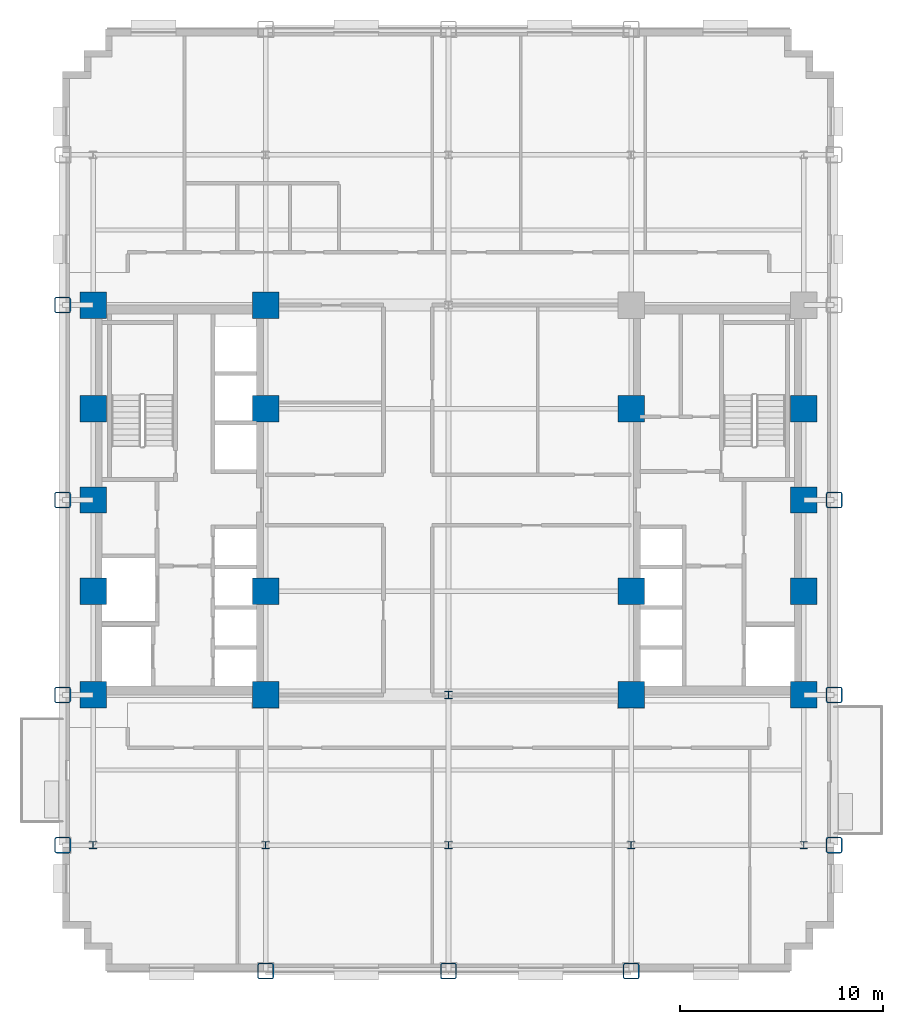
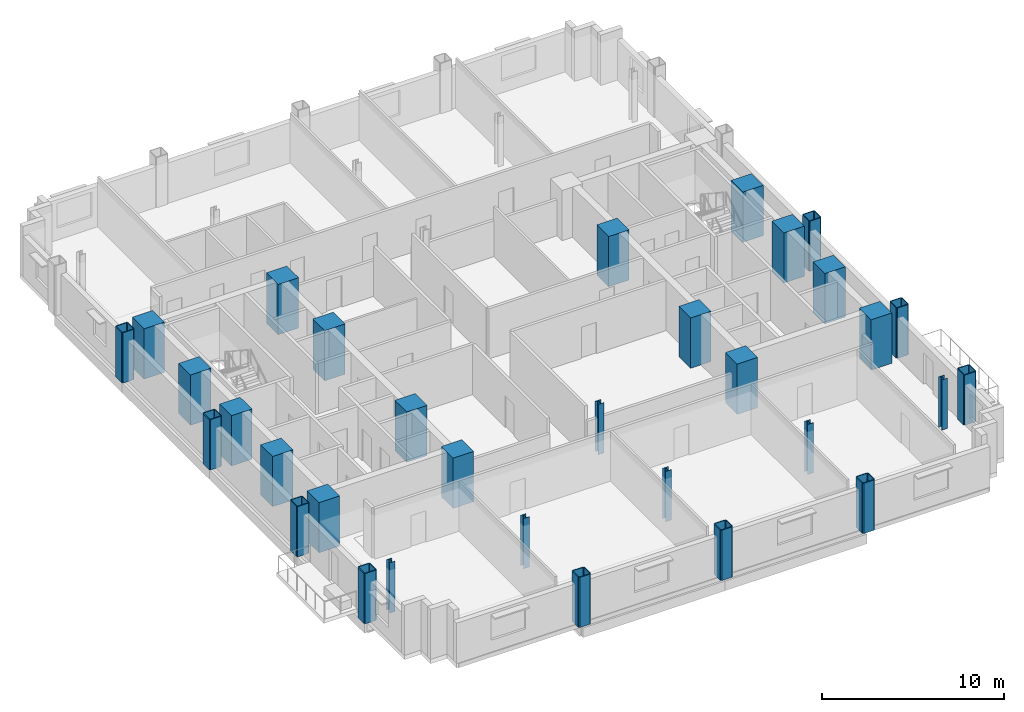
# One storey, part 1 of 12: 32 columns.
"""IFC4 building model written with IfcOpenShell, lengths in metres."""

import ifcopenshell
import ifcopenshell.guid

model = None  # the IFC model being written
_history = None  # IfcOwnerHistory: only IFC2X3 demands one
_inside = {}  # id of a spatial element -> (the spatial element, [elements in it])
_under = {}  # id of a project, library or spatial element -> (it, [spatial elements below it])
_declared = {}  # id of a project -> (the project, [libraries it declares])
_typed = {}  # id of a type object -> (the type object, [elements of that type])
_made_of = {}  # id of a material, layer set ... -> (it, [elements and type objects made of it])


def new_model(schema):
    """Start an empty IFC model of exactly this schema.

    Asked for "IFC4X3", IfcOpenShell would pick the latest addendum, in which some entities
    have other attributes; the version numbers below select the first issue.
    IFC2X3 requires an IfcOwnerHistory on every rooted entity: one is made here for all.
    """
    global model, _history
    if schema == "IFC4X3":
        model = ifcopenshell.file(schema_version=(4, 3, 0, 0))
    else:
        model = ifcopenshell.file(schema=schema)
    _inside.clear()
    _under.clear()
    _declared.clear()
    _typed.clear()
    _made_of.clear()
    _history = None
    if model.schema == "IFC2X3":
        org = make("IfcOrganization", Name="unknown")
        user = make(
            "IfcPersonAndOrganization",
            ThePerson=make("IfcPerson", FamilyName="unknown"),
            TheOrganization=org,
        )
        app = make(
            "IfcApplication",
            ApplicationDeveloper=org,
            Version="unknown",
            ApplicationFullName="unknown",
            ApplicationIdentifier="unknown",
        )
        _history = make(
            "IfcOwnerHistory",
            OwningUser=user,
            OwningApplication=app,
            ChangeAction="ADDED",
            CreationDate=0,
        )
    return model


def make(cls, **values):
    """One entity of the class cls with the attributes given. An attribute that is None is left unset."""
    return model.create_entity(
        cls, **{name: value for name, value in values.items() if value is not None}
    )


def rooted(cls, **values):
    """An entity with a GlobalId (a new one), such as an element, a storey or a relation."""
    return make(cls, GlobalId=ifcopenshell.guid.new(), OwnerHistory=_history, **values)


def si_unit(unit_type, name, prefix=None):
    """IfcSIUnit, for example si_unit("LENGTHUNIT", "METRE", prefix="MILLI")."""
    return make("IfcSIUnit", UnitType=unit_type, Prefix=prefix, Name=name)


def assignment(units):
    """IfcUnitAssignment: the units of a project."""
    return None if units is None else make("IfcUnitAssignment", Units=units)


def point(xyz):
    """IfcCartesianPoint."""
    return None if xyz is None else make("IfcCartesianPoint", Coordinates=xyz)


def direction(xyz):
    """IfcDirection."""
    return None if xyz is None else make("IfcDirection", DirectionRatios=xyz)


def frame(location, z_axis=None, x_axis=None):
    """IfcAxis2Placement3D, a coordinate frame: its origin and axes. An axis left out is left unset."""
    return make(
        "IfcAxis2Placement3D",
        Location=point(location),
        Axis=direction(z_axis),
        RefDirection=direction(x_axis),
    )


def frame_2d(location, x_axis=None):
    """IfcAxis2Placement2D, a coordinate frame in the plane: its origin and x axis."""
    return make(
        "IfcAxis2Placement2D", Location=point(location), RefDirection=direction(x_axis)
    )


def origin():
    """The frame at (0, 0, 0) with its axes left unset."""
    return frame((0.0, 0.0, 0.0))


def origin_2d():
    """The frame at (0, 0) in the plane with its x axis left unset."""
    return frame_2d((0.0, 0.0))


def place(relative_to, where):
    """IfcLocalPlacement: puts the frame where relative to a parent placement (None: the world)."""
    return make(
        "IfcLocalPlacement", PlacementRelTo=relative_to, RelativePlacement=where
    )


def context(
    kind, dimensions, precision=None, world=None, true_north=None, identifier=None
):
    """IfcGeometricRepresentationContext, for example the 3D "Model" context."""
    return make(
        "IfcGeometricRepresentationContext",
        ContextIdentifier=identifier,
        ContextType=kind,
        CoordinateSpaceDimension=dimensions,
        Precision=precision,
        WorldCoordinateSystem=world,
        TrueNorth=true_north,
    )


def subcontext(parent, identifier, kind, view, scale=None):
    """IfcGeometricRepresentationSubContext, for example "Body" below "Model"."""
    return make(
        "IfcGeometricRepresentationSubContext",
        ContextIdentifier=identifier,
        ContextType=kind,
        ParentContext=parent,
        TargetScale=scale,
        TargetView=view,
    )


def project(units=None, contexts=None):
    """IfcProject with its units and contexts."""
    return rooted(
        "IfcProject",
        Name="project",
        RepresentationContexts=contexts,
        UnitsInContext=assignment(units),
    )


def spatial(cls, under=None, at=None, **own):
    """A site, building, storey or space (cls), placed at a placement, below another one or the project."""
    s = rooted(cls, ObjectPlacement=at, **own)
    if under is not None:
        _under.setdefault(under.id(), (under, []))[1].append(s)
    return s


def profile(cls, at=None, kind="AREA", **sizes):
    """A parametric profile (cls). Its sizes go by their IFC names, for example OverallWidth=200.0."""
    return make(cls, ProfileType=kind, Position=at, **sizes)


def rectangle(**sizes):
    """IfcRectangleProfileDef."""
    return profile("IfcRectangleProfileDef", **sizes)


def hollow_rectangle(**sizes):
    """IfcRectangleHollowProfileDef."""
    return profile("IfcRectangleHollowProfileDef", **sizes)


def i_section(**sizes):
    """IfcIShapeProfileDef."""
    return profile("IfcIShapeProfileDef", **sizes)


def extrude(swept, where, along, depth):
    """IfcExtrudedAreaSolid: the profile swept, set in the frame where, extruded along a direction by depth."""
    return make(
        "IfcExtrudedAreaSolid",
        SweptArea=swept,
        Position=where,
        ExtrudedDirection=direction(along),
        Depth=depth,
    )


def shape(context_of_items, identifier, shape_type, items):
    """IfcShapeRepresentation: the items that make up one representation, for example the "Body"."""
    return make(
        "IfcShapeRepresentation",
        ContextOfItems=context_of_items,
        RepresentationIdentifier=identifier,
        RepresentationType=shape_type,
        Items=items,
    )


def material(Name=None, Category=None):
    """IfcMaterial."""
    return make("IfcMaterial", Name=Name, Category=Category)


def material_profile(
    of_material, cross_section, Name=None, Category=None, Priority=None
):
    """IfcMaterialProfile: a cross section and its material."""
    return make(
        "IfcMaterialProfile",
        Name=Name,
        Material=of_material,
        Profile=cross_section,
        Priority=Priority,
        Category=Category,
    )


def profile_set(profiles, Name=None, composite=None):
    """IfcMaterialProfileSet."""
    return make(
        "IfcMaterialProfileSet",
        Name=Name,
        MaterialProfiles=profiles,
        CompositeProfile=composite,
    )


def made_of(thing, what):
    """Note that an element or type object is made of a material, layer set ...; save() writes the relation."""
    if what is not None:
        _made_of.setdefault(what.id(), (what, []))[1].append(thing)
    return thing


def type_object(cls, material=None, **own):
    """A type object (cls), such as IfcWallType, which elements share."""
    return made_of(rooted(cls, **own), material)


def element(
    cls,
    number,
    at=None,
    inside=None,
    cuts=None,
    type_object=None,
    material=None,
    context=None,
    identifier="Body",
    shape_type=None,
    held_by="IfcProductDefinitionShape",
    body=None,
    shapes=None,
    **own,
):
    """One element of the class cls, such as IfcWall. Its Tag is "e" and its number.

    at: its placement. inside: the storey or other place that contains it. cuts: it is an
    opening in that element (IfcRelVoidsElement). A single representation is given by context,
    identifier, shape_type and body (its items); several are given by shapes. held_by: the class
    of the entity that holds the representations. save() writes the other relations.
    """
    e = rooted(cls, Tag="e%d" % number, ObjectPlacement=at, **own)
    if body is not None:
        shapes = [shape(context, identifier, shape_type, body)]
    if shapes is not None:
        e.Representation = make(held_by, Representations=shapes)
    if inside is not None:
        _inside.setdefault(inside.id(), (inside, []))[1].append(e)
    if cuts is not None:
        rooted(
            "IfcRelVoidsElement", RelatingBuildingElement=cuts, RelatedOpeningElement=e
        )
    if type_object is not None:
        _typed.setdefault(type_object.id(), (type_object, []))[1].append(e)
    return made_of(e, material)


def aggregate(whole, parts):
    """IfcRelAggregates: a whole, such as a stair, and the parts it consists of."""
    return rooted("IfcRelAggregates", RelatingObject=whole, RelatedObjects=parts)


def save(model, path):
    """Write the relations noted so far, then the file.

    IfcRelAggregates (storeys below a building ...), IfcRelContainedInSpatialStructure (elements
    in a storey), IfcRelDefinesByType, IfcRelAssociatesMaterial and IfcRelDeclares: one each for
    every whole, place, type object, material and project.
    """
    for whole, parts in _under.values():
        aggregate(whole, parts)
    for where, things in _inside.values():
        rooted(
            "IfcRelContainedInSpatialStructure",
            RelatedElements=things,
            RelatingStructure=where,
        )
    for kind, things in _typed.values():
        rooted("IfcRelDefinesByType", RelatedObjects=things, RelatingType=kind)
    for what, things in _made_of.values():
        rooted("IfcRelAssociatesMaterial", RelatedObjects=things, RelatingMaterial=what)
    for by, libraries in _declared.values():
        rooted("IfcRelDeclares", RelatingContext=by, RelatedDefinitions=libraries)
    model.write(path)


model = new_model("IFC4")

# Units and contexts
model_context = context("Model", 3, precision=1e-05, world=origin(), true_north=direction((0.0, 1.0)))
body_context = subcontext(model_context, "Body", "Model", "MODEL_VIEW")
ifc_project = project(units=[si_unit("LENGTHUNIT", "METRE"), si_unit("AREAUNIT", "SQUARE_METRE"), si_unit("VOLUMEUNIT", "CUBIC_METRE"), si_unit("PLANEANGLEUNIT", "RADIAN"), si_unit("MASSUNIT", "GRAM", prefix="KILO")], contexts=[model_context])

# Site, building, storey
site_placement = place(None, origin())
site = spatial("IfcSite", under=ifc_project, at=site_placement, CompositionType="ELEMENT")
building_placement = place(site_placement, origin())
building = spatial("IfcBuilding", under=site, at=building_placement, Name="Nuvemarco Arch Tower", CompositionType="ELEMENT")
storey_placement = place(building_placement, frame((0.0, 0.0, 45.85009765625)))
storey = spatial("IfcBuildingStorey", under=building, at=storey_placement, Name="L11", CompositionType="ELEMENT", Elevation=45.85009765625)

# Columns
ifc_material_1 = material(Name="Concrete C60/75", Category="concrete")
ifc_material_profile_1 = material_profile(ifc_material_1, rectangle(XDim=1.300048828125, YDim=1.300048828125, at=origin_2d()), Name="RC-COL-1300x1300")
ifc_profile_set_1 = profile_set([ifc_material_profile_1], Name="Concrete C60/75")
column_type_1 = type_object("IfcColumnType", Name="COL-CORE-1300", PredefinedType="COLUMN", material=ifc_profile_set_1)
for number, where, z_axis, x_axis, name in (
    (1, (-17.5, -9.60009765625, 0.0), (0.0, 0.0, 1.0), (1.0, 0.0, 0.0), "L11 column CC_-17.5_-9.6"),
    (2, (-17.5, -4.5, 0.0), (0.0, 0.0, 1.0), (1.0, 0.0, 0.0), "L11 column CC_-17.5_-4.5"),
    (3, (-17.5, 4.5, 0.0), (0.0, 0.0, 1.0), (1.0, 0.0, 0.0), "L11 column CC_-17.5_+4.5"),
    (4, (-17.5, 9.60009765625, 0.0), (0.0, 0.0, 1.0), (1.0, 0.0, 0.0), "L11 column CC_-17.5_+9.6"),
    (5, (-9.0, -9.60009765625, 0.0), (0.0, 0.0, 1.0), (1.0, 0.0, 0.0), "L11 column CC_-9.0_-9.6"),
    (6, (-9.0, -4.5, 0.0), (0.0, 0.0, 1.0), (1.0, 0.0, 0.0), "L11 column CC_-9.0_-4.5"),
    (7, (-9.0, 4.5, 0.0), (0.0, 0.0, 1.0), (1.0, 0.0, 0.0), "L11 column CC_-9.0_+4.5"),
    (8, (-9.0, 9.60009765625, 0.0), (0.0, 0.0, 1.0), (1.0, 0.0, 0.0), "L11 column CC_-9.0_+9.6"),
    (9, (9.0, -9.60009765625, 0.0), (0.0, 0.0, 1.0), (1.0, 0.0, 0.0), "L11 column CC_+9.0_-9.6"),
    (10, (9.0, -4.5, 0.0), (0.0, 0.0, 1.0), (1.0, 0.0, 0.0), "L11 column CC_+9.0_-4.5"),
    (11, (9.0, 4.5, 0.0), (0.0, 0.0, 1.0), (1.0, 0.0, 0.0), "L11 column CC_+9.0_+4.5"),
    (12, (17.5, -9.60009765625, 0.0), (0.0, 0.0, 1.0), (1.0, 0.0, 0.0), "L11 column CC_+17.5_-9.6"),
    (13, (17.5, -4.5, 0.0), (0.0, 0.0, 1.0), (1.0, 0.0, 0.0), "L11 column CC_+17.5_-4.5"),
    (14, (17.5, 4.5, 0.0), (0.0, 0.0, 1.0), (1.0, 0.0, 0.0), "L11 column CC_+17.5_+4.5"),
    (15, (-17.5, 0.0, 0.0), (0.0, 0.0, 1.0), (1.0, 0.0, 0.0), "L11 column CC_-17.5_+0.0"),
    (16, (17.5, 0.0, 0.0), (0.0, 0.0, 1.0), (1.0, 0.0, 0.0), "L11 column CC_+17.5_+0.0"),
):
    element("IfcColumn", number, at=place(storey_placement, frame(where, z_axis=z_axis, x_axis=x_axis)), inside=storey, type_object=column_type_1, Name=name, PredefinedType="COLUMN", context=body_context, shape_type="SweptSolid", body=[
        extrude(rectangle(XDim=1.300048828125, YDim=1.300048828125, at=origin_2d()), origin(), (0.0, 0.0, 1.0), 3.369873046875),
    ])
ifc_material_2 = material(Name="Steel S460", Category="steel")
ifc_material_profile_2 = material_profile(ifc_material_2, hollow_rectangle(XDim=0.800048828125, YDim=0.800048828125, WallThickness=0.054931640625, InnerFilletRadius=0.054931640625, OuterFilletRadius=0.110107421875, at=origin_2d()), Name="SHS800x800x55")
ifc_profile_set_2 = profile_set([ifc_material_profile_2], Name="Steel S460")
column_type_2 = type_object("IfcColumnType", Name="COL-EXO-800", PredefinedType="COLUMN", material=ifc_profile_set_2)
for number, where, z_axis, x_axis, name in (
    (17, (-19.0, -17.0, 0.0), (0.0, 0.0, 1.0), (1.0, 0.0, 0.0), "L11 column CX_-19.0_-17.0"),
    (18, (-19.0, -9.60009765625, 0.0), (0.0, 0.0, 1.0), (1.0, 0.0, 0.0), "L11 column CX_-19.0_-9.6"),
    (19, (-19.0, 0.0, 0.0), (0.0, 0.0, 1.0), (1.0, 0.0, 0.0), "L11 column CX_-19.0_+0.0"),
    (20, (-19.0, 9.60009765625, 0.0), (0.0, 0.0, 1.0), (1.0, 0.0, 0.0), "L11 column CX_-19.0_+9.6"),
    (21, (19.0, -17.0, 0.0), (0.0, 0.0, 1.0), (1.0, 0.0, 0.0), "L11 column CX_+19.0_-17.0"),
    (22, (19.0, -9.60009765625, 0.0), (0.0, 0.0, 1.0), (1.0, 0.0, 0.0), "L11 column CX_+19.0_-9.6"),
    (23, (19.0, 0.0, 0.0), (0.0, 0.0, 1.0), (1.0, 0.0, 0.0), "L11 column CX_+19.0_+0.0"),
    (24, (-9.0, -23.199951171875, 0.0), (0.0, 0.0, 1.0), (1.0, 0.0, 0.0), "L11 column CY_-9.0_-23.2"),
    (25, (0.0, -23.199951171875, 0.0), (0.0, 0.0, 1.0), (1.0, 0.0, 0.0), "L11 column CY_+0.0_-23.2"),
    (26, (9.0, -23.199951171875, 0.0), (0.0, 0.0, 1.0), (1.0, 0.0, 0.0), "L11 column CY_+9.0_-23.2"),
):
    element("IfcColumn", number, at=place(storey_placement, frame(where, z_axis=z_axis, x_axis=x_axis)), inside=storey, type_object=column_type_2, Name=name, PredefinedType="COLUMN", context=body_context, shape_type="SweptSolid", body=[
        extrude(hollow_rectangle(XDim=0.800048828125, YDim=0.800048828125, WallThickness=0.054931640625, InnerFilletRadius=0.054931640625, OuterFilletRadius=0.110107421875, at=origin_2d()), origin(), (0.0, 0.0, 1.0), 3.369873046875),
    ])
ifc_material_3 = material(Name="Steel S355", Category="steel")
ifc_material_profile_3 = material_profile(ifc_material_3, i_section(OverallWidth=0.360107421875, OverallDepth=0.360107421875, WebThickness=0.0205078125, FlangeThickness=0.0205078125, FilletRadius=0.01806640625, at=origin_2d()), Name="HP360x174")
ifc_profile_set_3 = profile_set([ifc_material_profile_3], Name="Steel S355")
column_type_3 = type_object("IfcColumnType", Name="COL-STL-HP360", PredefinedType="COLUMN", material=ifc_profile_set_3)
for number, where, z_axis, x_axis, name in (
    (27, (0.0, -17.0, 0.0), (0.0, 0.0, 1.0), (1.0, 0.0, 0.0), "L11 column CI_+0.0_-17.0"),
    (28, (0.0, -9.60009765625, 0.0), (0.0, 0.0, 1.0), (1.0, 0.0, 0.0), "L11 column CI_+0.0_-9.6"),
    (29, (-17.5, -17.0, 0.0), (0.0, 0.0, 1.0), (1.0, 0.0, 0.0), "L11 column CI_-17.5_-17.0"),
    (30, (-9.0, -17.0, 0.0), (0.0, 0.0, 1.0), (1.0, 0.0, 0.0), "L11 column CI_-9.0_-17.0"),
    (31, (9.0, -17.0, 0.0), (0.0, 0.0, 1.0), (1.0, 0.0, 0.0), "L11 column CI_+9.0_-17.0"),
    (32, (17.5, -17.0, 0.0), (0.0, 0.0, 1.0), (1.0, 0.0, 0.0), "L11 column CI_+17.5_-17.0"),
):
    element("IfcColumn", number, at=place(storey_placement, frame(where, z_axis=z_axis, x_axis=x_axis)), inside=storey, type_object=column_type_3, Name=name, PredefinedType="COLUMN", context=body_context, shape_type="SweptSolid", body=[
        extrude(i_section(OverallWidth=0.360107421875, OverallDepth=0.360107421875, WebThickness=0.0205078125, FlangeThickness=0.0205078125, FilletRadius=0.01806640625, at=origin_2d()), origin(), (0.0, 0.0, 1.0), 3.369873046875),
    ])

save(model, "model.ifc")
